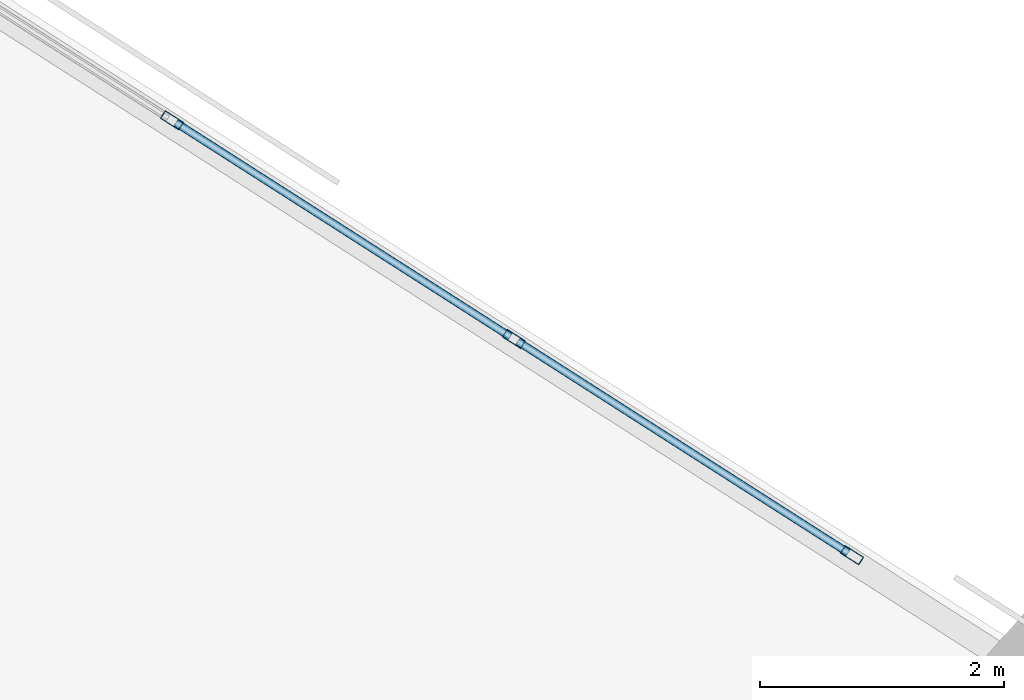
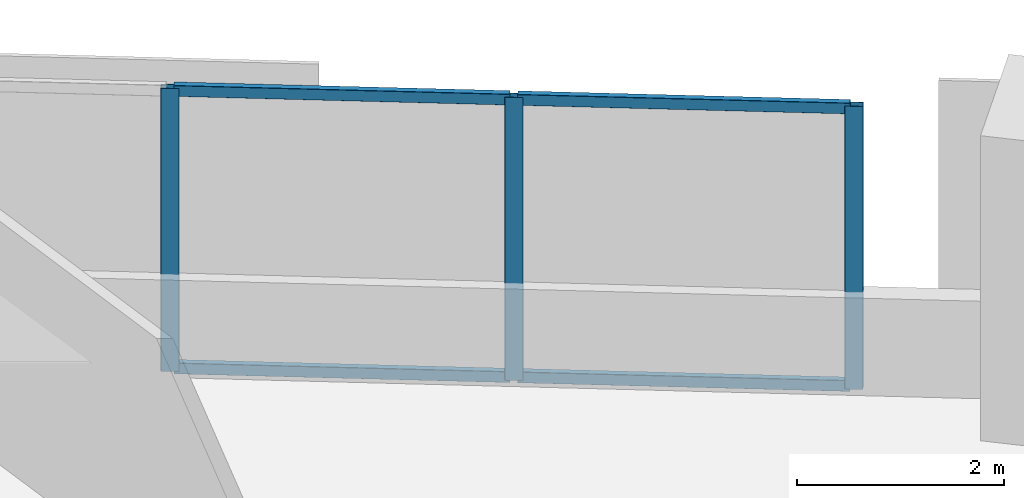
# One storey, part 10 of 16: 7 members, 1 element without a shape of its own.
"""IFC4 building model written with IfcOpenShell, lengths in metres."""

from ifc_helpers import new_model, si_unit, direction, frame, origin, origin_2d, place, context, subcontext, project, spatial, hollow_rectangle, extrude, material, material_profile, profile_set, type_object, element, aggregate, save


model = new_model("IFC4")

# Units and contexts
model_context = context("Model", 3, precision=1e-05, world=origin(), true_north=direction((0.0, 1.0)))
body_context = subcontext(model_context, "Body", "Model", "MODEL_VIEW")
ifc_project = project(units=[si_unit("LENGTHUNIT", "METRE"), si_unit("AREAUNIT", "SQUARE_METRE"), si_unit("VOLUMEUNIT", "CUBIC_METRE"), si_unit("PLANEANGLEUNIT", "RADIAN"), si_unit("MASSUNIT", "GRAM", prefix="KILO")], contexts=[model_context])

# Site, building, storey
site_placement = place(None, origin())
site = spatial("IfcSite", under=ifc_project, at=site_placement, CompositionType="ELEMENT")
building_placement = place(site_placement, origin())
building = spatial("IfcBuilding", under=site, at=building_placement, Name="Narakoshi Arena Tower", CompositionType="ELEMENT")
storey_placement = place(building_placement, frame((0.0, 0.0, 66.89990234375)))
storey = spatial("IfcBuildingStorey", under=building, at=storey_placement, Name="L17", CompositionType="ELEMENT", Elevation=66.89990234375)

# Curtain wall, members
ifc_material = material(Name="Anodised bronze aluminium 6063-T6", Category="aluminium")
curtain_wall_type = type_object("IfcCurtainWallType", Name="CW-HYP-LOW", PredefinedType="NOTDEFINED", material=ifc_material)
curtain_wall_placement = place(storey_placement, origin())
curtain_wall = element("IfcCurtainWall", 1, at=curtain_wall_placement, inside=storey, type_object=curtain_wall_type, Name="L17 Folded Hypotenuse Curtain Wall 2-2", PredefinedType="NOTDEFINED")
ifc_material_profile_1 = material_profile(ifc_material, hollow_rectangle(XDim=0.074951171875, YDim=0.179931640625, WallThickness=0.00390625, OuterFilletRadius=0.0048828125, at=origin_2d()), Name="MUL180x75x4")
ifc_profile_set_1 = profile_set([ifc_material_profile_1], Name="Anodised bronze aluminium 6063-T6")
member_type_1 = type_object("IfcMemberType", Name="MEM-MUL-180", PredefinedType="MULLION", material=ifc_profile_set_1)
member_1_placement = place(storey_placement, frame((83.41943359375, 66.22705078125, 0.0), z_axis=(0.0, 0.0, 1.0), x_axis=(-0.538829098714, -0.842415100992, 0.0)))
member_1 = element("IfcMember", 2, at=member_1_placement, type_object=member_type_1, Name="CW-01 mullion 1", PredefinedType="MULLION", context=body_context, shape_type="SweptSolid", body=[
    extrude(hollow_rectangle(XDim=0.074951171875, YDim=0.179931640625, WallThickness=0.00390625, OuterFilletRadius=0.0048828125, at=origin_2d()), origin(), (0.0, 0.0, 1.0), 3.340087890625),
])
member_2_placement = place(storey_placement, frame((80.6474609375, 68.000244140625, 0.0), z_axis=(0.0, 0.0, 1.0), x_axis=(-0.538829098714, -0.842415100992, 0.0)))
member_2 = element("IfcMember", 3, at=member_2_placement, type_object=member_type_1, Name="CW-01 mullion 2", PredefinedType="MULLION", context=body_context, shape_type="SweptSolid", body=[
    extrude(hollow_rectangle(XDim=0.074951171875, YDim=0.179931640625, WallThickness=0.00390625, OuterFilletRadius=0.0048828125, at=origin_2d()), origin(), (0.0, 0.0, 1.0), 3.340087890625),
])
member_3_placement = place(storey_placement, frame((77.843505859375, 69.79345703125, 0.0), z_axis=(0.0, 0.0, 1.0), x_axis=(-0.538829098714, -0.842415100992, 0.0)))
member_3 = element("IfcMember", 4, at=member_3_placement, type_object=member_type_1, Name="CW-01 mullion 3", PredefinedType="MULLION", context=body_context, shape_type="SweptSolid", body=[
    extrude(hollow_rectangle(XDim=0.074951171875, YDim=0.179931640625, WallThickness=0.00390625, OuterFilletRadius=0.0048828125, at=origin_2d()), origin(), (0.0, 0.0, 1.0), 3.340087890625),
])
ifc_material_profile_2 = material_profile(ifc_material, hollow_rectangle(XDim=0.06494140625, YDim=0.1298828125, WallThickness=0.00390625, OuterFilletRadius=0.0048828125, at=origin_2d()), Name="TRN130x65x4")
ifc_profile_set_2 = profile_set([ifc_material_profile_2], Name="Anodised bronze aluminium 6063-T6")
member_type_2 = type_object("IfcMemberType", Name="MEM-TRN-130", PredefinedType="USERDEFINED", material=ifc_profile_set_2)
member_4_placement = place(storey_placement, frame((83.387939453125, 66.247314453125, 0.03271484375), z_axis=(-0.842424416084, 0.538814535053, 0.0), x_axis=(-0.538814535053, -0.842424416084, 0.0)))
member_4 = element("IfcMember", 5, at=member_4_placement, type_object=member_type_2, Name="CW-01 transom 1.1", ObjectType="TRANSOM", PredefinedType="USERDEFINED", context=body_context, shape_type="SweptSolid", body=[
    extrude(hollow_rectangle(XDim=0.06494140625, YDim=0.1298828125, WallThickness=0.00390625, OuterFilletRadius=0.0048828125, at=origin_2d()), origin(), (0.0, 0.0, 1.0), 3.2158203125),
])
member_5_placement = place(storey_placement, frame((83.387939453125, 66.247314453125, 3.3076171875), z_axis=(-0.842424416084, 0.538814535053, 0.0), x_axis=(-0.538814535053, -0.842424416084, 0.0)))
member_5 = element("IfcMember", 6, at=member_5_placement, type_object=member_type_2, Name="CW-01 transom 1.2", ObjectType="TRANSOM", PredefinedType="USERDEFINED", context=body_context, shape_type="SweptSolid", body=[
    extrude(hollow_rectangle(XDim=0.06494140625, YDim=0.1298828125, WallThickness=0.00390625, OuterFilletRadius=0.0048828125, at=origin_2d()), origin(), (0.0, 0.0, 1.0), 3.2158203125),
])
member_6_placement = place(storey_placement, frame((80.61572265625, 68.020263671875, 0.03271484375), z_axis=(-0.842407668774, 0.5388407182, 0.0), x_axis=(-0.5388407182, -0.842407668774, 0.0)))
member_6 = element("IfcMember", 7, at=member_6_placement, type_object=member_type_2, Name="CW-01 transom 2.1", ObjectType="TRANSOM", PredefinedType="USERDEFINED", context=body_context, shape_type="SweptSolid", body=[
    extrude(hollow_rectangle(XDim=0.06494140625, YDim=0.1298828125, WallThickness=0.00390625, OuterFilletRadius=0.0048828125, at=origin_2d()), origin(), (0.0, 0.0, 1.0), 3.253173828125),
])
member_7_placement = place(storey_placement, frame((80.61572265625, 68.020263671875, 3.3076171875), z_axis=(-0.842407668774, 0.5388407182, 0.0), x_axis=(-0.5388407182, -0.842407668774, 0.0)))
member_7 = element("IfcMember", 8, at=member_7_placement, type_object=member_type_2, Name="CW-01 transom 2.2", ObjectType="TRANSOM", PredefinedType="USERDEFINED", context=body_context, shape_type="SweptSolid", body=[
    extrude(hollow_rectangle(XDim=0.06494140625, YDim=0.1298828125, WallThickness=0.00390625, OuterFilletRadius=0.0048828125, at=origin_2d()), origin(), (0.0, 0.0, 1.0), 3.253173828125),
])
aggregate(curtain_wall, [member_1, member_2, member_3, member_4, member_5, member_6, member_7])

save(model, "model.ifc")
